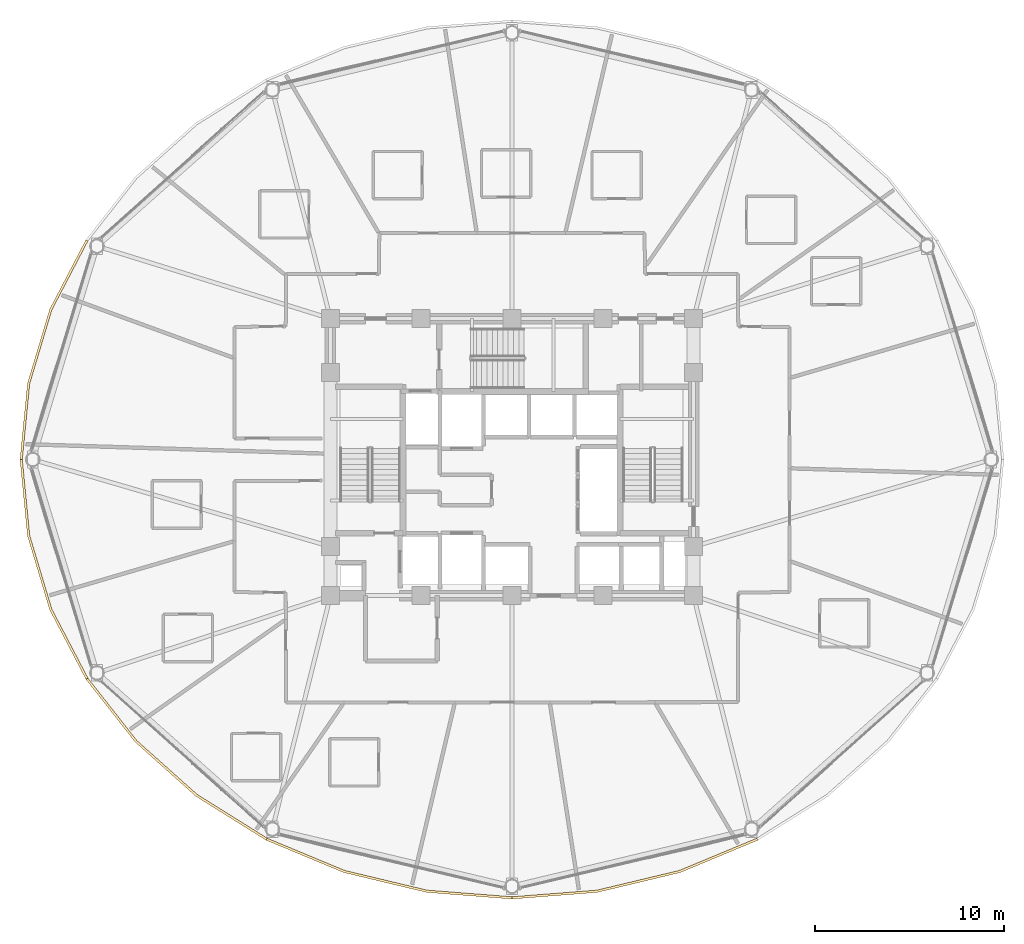
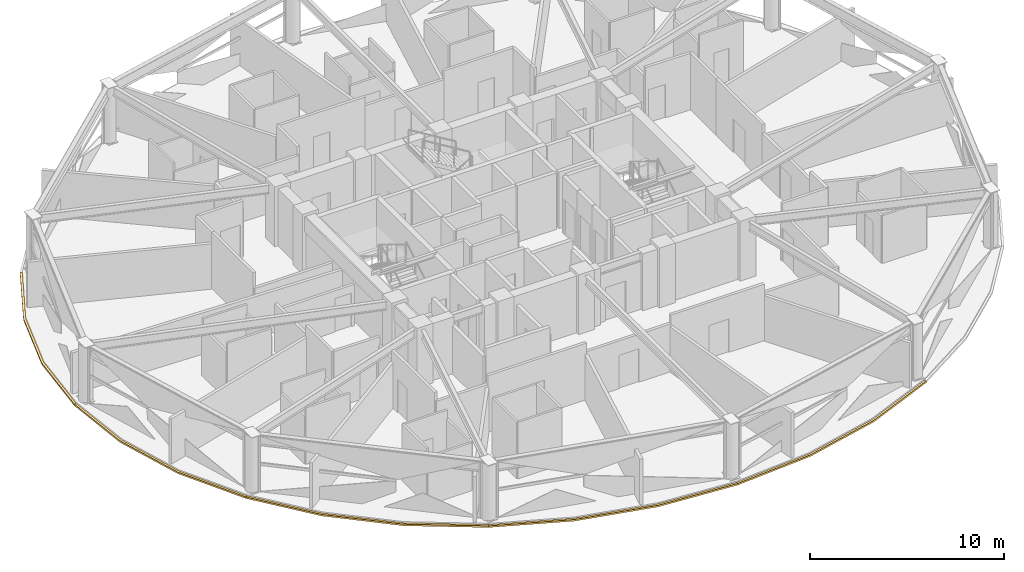
# One storey, part 28 of 31: 5 coverings.
"""IFC4 building model written with IfcOpenShell, lengths in metres."""

from ifc_helpers import new_model, si_unit, direction, frame, origin, place, context, subcontext, project, spatial, polyline, outline, extrude, material, layer, layer_set, type_object, element, save


model = new_model("IFC4")

# Units and contexts
model_context = context("Model", 3, precision=1e-05, world=origin(), true_north=direction((0.0, 1.0)))
body_context = subcontext(model_context, "Body", "Model", "MODEL_VIEW")
ifc_project = project(units=[si_unit("LENGTHUNIT", "METRE"), si_unit("AREAUNIT", "SQUARE_METRE"), si_unit("VOLUMEUNIT", "CUBIC_METRE"), si_unit("PLANEANGLEUNIT", "RADIAN"), si_unit("MASSUNIT", "GRAM", prefix="KILO")], contexts=[model_context])

# Site, building, storey
site_placement = place(None, origin())
site = spatial("IfcSite", under=ifc_project, at=site_placement, CompositionType="ELEMENT")
building_placement = place(site_placement, origin())
building = spatial("IfcBuilding", under=site, at=building_placement, Name="Vantalir Tower", CompositionType="ELEMENT")
storey_placement = place(building_placement, frame((0.0, 0.0, 115.949951171875)))
storey = spatial("IfcBuildingStorey", under=building, at=storey_placement, Name="L28", CompositionType="ELEMENT", Elevation=115.949951171875)

# Coverings
ifc_material = material(Name="Anodised champagne aluminium sill fascia", Category="aluminium")
ifc_layer = layer(ifc_material, 0.125)
ifc_layer_set = layer_set([ifc_layer], Name="Anodised champagne aluminium sill fascia")
covering_type = type_object("IfcCoveringType", Name="COV-SLAB-FASCIA-125", PredefinedType="CLADDING", material=ifc_layer_set)
covering_1_placement = place(storey_placement, frame((0.0, 0.0, -0.179931640625)))
element("IfcCovering", 1, at=covering_1_placement, inside=storey, type_object=covering_type, Name="L28 Perimeter Slab-Edge Sill Fascia 06", PredefinedType="CLADDING", context=body_context, shape_type="SweptSolid", body=[
    extrude(outline(polyline([(8.969970703125, 36.6201171875), (7.053955078125, 32.948974609375), (5.8798828125, 29.035888671875), (5.485107421875, 25.0), (5.610107421875, 25.0), (6.0029296875, 29.013916015625), (7.1708984375, 32.906005859375), (9.0791015625, 36.55810546875), (8.969970703125, 36.6201171875)])), origin(), (0.0, 0.0, 1.0), 0.10498046875),
])
covering_2_placement = place(storey_placement, frame((0.0, 0.0, -0.179931640625)))
element("IfcCovering", 2, at=covering_2_placement, inside=storey, type_object=covering_type, Name="L28 Perimeter Slab-Edge Sill Fascia 07", PredefinedType="CLADDING", context=body_context, shape_type="SweptSolid", body=[
    extrude(outline(polyline([(5.485107421875, 25.0), (5.8798828125, 20.964111328125), (7.053955078125, 17.051025390625), (8.969970703125, 13.37890625), (9.0791015625, 13.44189453125), (7.1708984375, 17.093994140625), (6.0029296875, 20.986083984375), (5.610107421875, 25.0), (5.485107421875, 25.0)])), origin(), (0.0, 0.0, 1.0), 0.10498046875),
])
covering_3_placement = place(storey_placement, frame((0.0, 0.0, -0.179931640625)))
element("IfcCovering", 3, at=covering_3_placement, inside=storey, type_object=covering_type, Name="L28 Perimeter Slab-Edge Sill Fascia 08", PredefinedType="CLADDING", context=body_context, shape_type="SweptSolid", body=[
    extrude(outline(polyline([(8.969970703125, 13.37890625), (11.571044921875, 10.06103515625), (14.778076171875, 7.196044921875), (18.491943359375, 4.873046875), (18.554931640625, 4.98095703125), (14.85791015625, 7.2919921875), (11.6669921875, 10.14111328125), (9.0791015625, 13.44189453125), (8.969970703125, 13.37890625)])), origin(), (0.0, 0.0, 1.0), 0.10498046875),
])
covering_4_placement = place(storey_placement, frame((0.0, 0.0, -0.179931640625)))
element("IfcCovering", 4, at=covering_4_placement, inside=storey, type_object=covering_type, Name="L28 Perimeter Slab-Edge Sill Fascia 09", PredefinedType="CLADDING", context=body_context, shape_type="SweptSolid", body=[
    extrude(outline(polyline([(18.491943359375, 4.873046875), (22.60205078125, 3.160888671875), (26.98291015625, 2.112060546875), (31.5, 1.759033203125), (31.5, 1.884033203125), (27.00390625, 2.235107421875), (22.64501953125, 3.278076171875), (18.554931640625, 4.98095703125), (18.491943359375, 4.873046875)])), origin(), (0.0, 0.0, 1.0), 0.10498046875),
])
covering_5_placement = place(storey_placement, frame((0.0, 0.0, -0.179931640625)))
element("IfcCovering", 5, at=covering_5_placement, inside=storey, type_object=covering_type, Name="L28 Perimeter Slab-Edge Sill Fascia 10", PredefinedType="CLADDING", context=body_context, shape_type="SweptSolid", body=[
    extrude(outline(polyline([(31.5, 1.759033203125), (36.01708984375, 2.112060546875), (40.39794921875, 3.160888671875), (44.508056640625, 4.873046875), (44.445068359375, 4.98095703125), (40.35498046875, 3.278076171875), (35.99609375, 2.235107421875), (31.5, 1.884033203125), (31.5, 1.759033203125)])), origin(), (0.0, 0.0, 1.0), 0.10498046875),
])

save(model, "model.ifc")
